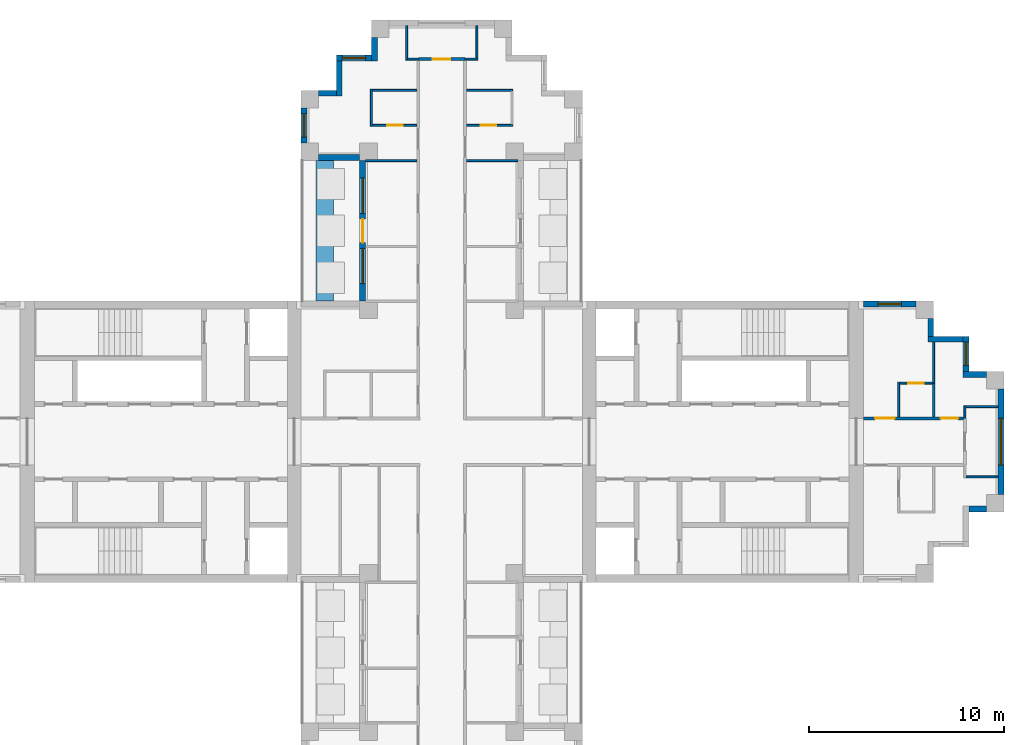
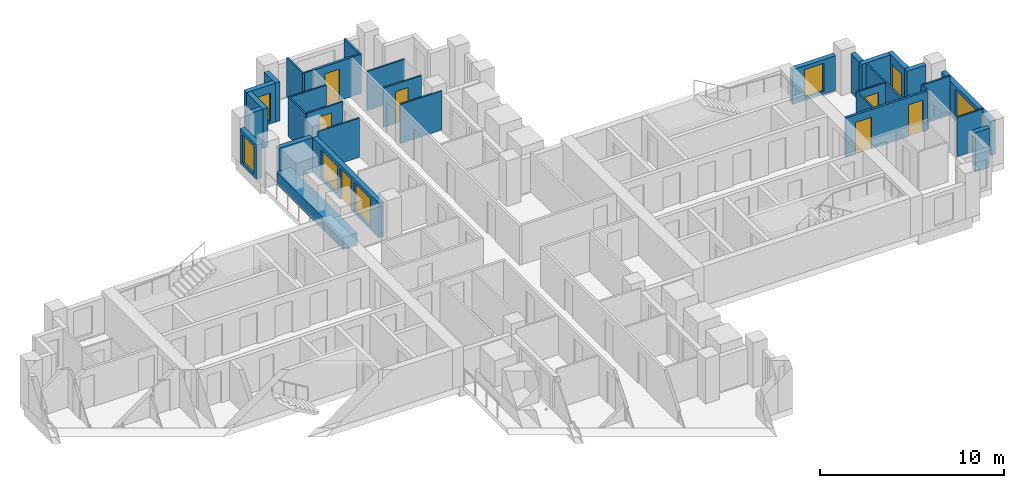
# One storey, part 7 of 10: 35 walls, 7 doors, 7 windows, 14 openings.
"""IFC4 building model written with IfcOpenShell, lengths in metres."""

from ifc_helpers import new_model, si_unit, direction, frame, frame_2d, origin, place, context, subcontext, project, spatial, rectangle, extrude, material, layer, layer_set, type_object, element, fill, save


model = new_model("IFC4")

# Units and contexts
model_context = context("Model", 3, precision=1e-05, world=origin(), true_north=direction((0.0, 1.0)))
body_context = subcontext(model_context, "Body", "Model", "MODEL_VIEW")
ifc_project = project(units=[si_unit("LENGTHUNIT", "METRE"), si_unit("AREAUNIT", "SQUARE_METRE"), si_unit("VOLUMEUNIT", "CUBIC_METRE"), si_unit("PLANEANGLEUNIT", "RADIAN"), si_unit("MASSUNIT", "GRAM", prefix="KILO")], contexts=[model_context])

# Site, building, storey
site_placement = place(None, origin())
site = spatial("IfcSite", under=ifc_project, at=site_placement, CompositionType="ELEMENT")
building_placement = place(site_placement, origin())
building = spatial("IfcBuilding", under=site, at=building_placement, Name="Fustian Cross Tower", CompositionType="ELEMENT")
storey_placement = place(building_placement, frame((0.0, 0.0, 231.89990234375)))
storey = spatial("IfcBuildingStorey", under=building, at=storey_placement, Name="L73", CompositionType="ELEMENT", Elevation=231.89990234375)

# Wall, opening, door
ifc_material_1 = material(Name="Plasterboard on steel stud", Category="steel")
ifc_layer_1 = layer(ifc_material_1, 0.14990234375)
ifc_layer_set_1 = layer_set([ifc_layer_1], Name="Plasterboard on steel stud")
wall_type_1 = type_object("IfcWallType", Name="COMPARTMENT WALL 150 EI 60", PredefinedType="PARTITIONING", material=ifc_layer_set_1)
wall_1_placement = place(storey_placement, frame((-1.199951171875, 19.60009765625, 0.0), z_axis=(0.0, 0.0, 1.0), x_axis=(1.0, 0.0, 0.0)))
wall_1 = element("IfcWall", 1, at=wall_1_placement, inside=storey, type_object=wall_type_1, Name="Partition 41", PredefinedType="PARTITIONING", context=body_context, shape_type="SweptSolid", body=[
    extrude(rectangle(XDim=2.39990234375, YDim=0.14990234375, at=frame_2d((1.199951171875, 0.0))), origin(), (0.0, 0.0, 1.0), 2.60009765625),
])
opening_1_placement = place(wall_1_placement, frame((0.75, 0.0, 0.0)))
opening_1 = element("IfcOpeningElement", 2, at=opening_1_placement, cuts=wall_1, Name="Opening D33017", PredefinedType="OPENING", context=body_context, shape_type="SweptSolid", body=[
    extrude(rectangle(XDim=0.89990234375, YDim=2.10009765625, at=frame_2d((0.449951171875, 1.050048828125))), frame((0.0, 0.0849609375, 0.0), z_axis=(0.0, -1.0, 0.0), x_axis=(1.0, 0.0, 0.0)), (0.0, 0.0, 1.0), 0.169921875),
])
ifc_material_2 = material(Name="Timber fire door set", Category="wood")
door_type_1 = type_object("IfcDoorType", Name="FIRE SWING DOOR 900 FD30S", OperationType="SINGLE_SWING_LEFT", PredefinedType="DOOR", material=ifc_material_2)
door_1_placement = place(opening_1_placement, origin())
door_1 = element("IfcDoor", 3, at=door_1_placement, inside=storey, type_object=door_type_1, Name="Door D33017", OperationType="SINGLE_SWING_LEFT", OverallHeight=2.10009765625, OverallWidth=0.89990234375, PredefinedType="DOOR", context=body_context, shape_type="SweptSolid", body=[
    extrude(rectangle(XDim=0.89990234375, YDim=2.10009765625, at=frame_2d((0.449951171875, 1.050048828125))), frame((0.0, 0.02490234375, 0.0), z_axis=(0.0, -1.0, 0.0), x_axis=(1.0, 0.0, 0.0)), (0.0, 0.0, 1.0), 0.050048828125),
])
fill(opening_1, door_1)

# Wall, openings, doors
wall_2_placement = place(storey_placement, frame((21.60009765625, 1.199951171875, 0.0), z_axis=(0.0, 0.0, 1.0), x_axis=(1.0, 0.0, 0.0)))
wall_2 = element("IfcWall", 4, at=wall_2_placement, inside=storey, type_object=wall_type_1, Name="Partition 62", PredefinedType="PARTITIONING", context=body_context, shape_type="SweptSolid", body=[
    extrude(rectangle(XDim=5.125, YDim=0.14990234375, at=frame_2d((2.5625, 0.0))), origin(), (0.0, 0.0, 1.0), 2.60009765625),
])
opening_2_placement = place(wall_2_placement, frame((0.60009765625, 0.0, 0.0)))
opening_2 = element("IfcOpeningElement", 5, at=opening_2_placement, cuts=wall_2, Name="Opening D33013", PredefinedType="OPENING", context=body_context, shape_type="SweptSolid", body=[
    extrude(rectangle(XDim=1.0, YDim=2.10009765625, at=frame_2d((0.5, 1.050048828125))), frame((0.0, 0.0849609375, 0.0), z_axis=(0.0, -1.0, 0.0), x_axis=(1.0, 0.0, 0.0)), (0.0, 0.0, 1.0), 0.169921875),
])
opening_3_placement = place(wall_2_placement, frame((3.949951171875, 0.0, 0.0)))
opening_3 = element("IfcOpeningElement", 6, at=opening_3_placement, cuts=wall_2, Name="Opening D33014", PredefinedType="OPENING", context=body_context, shape_type="SweptSolid", body=[
    extrude(rectangle(XDim=0.89990234375, YDim=2.10009765625, at=frame_2d((0.449951171875, 1.050048828125))), frame((0.0, 0.0849609375, 0.0), z_axis=(0.0, -1.0, 0.0), x_axis=(1.0, 0.0, 0.0)), (0.0, 0.0, 1.0), 0.169921875),
])
ifc_material_3 = material(Name="Timber fire door set", Category="wood")
door_type_2 = type_object("IfcDoorType", Name="FIRE SWING DOOR 1000 FD30S", OperationType="SINGLE_SWING_LEFT", PredefinedType="DOOR", material=ifc_material_3)
door_2_placement = place(opening_2_placement, origin())
door_2 = element("IfcDoor", 7, at=door_2_placement, inside=storey, type_object=door_type_2, Name="Door D33013", OperationType="SINGLE_SWING_RIGHT", OverallHeight=2.10009765625, OverallWidth=1.0, PredefinedType="DOOR", context=body_context, shape_type="SweptSolid", body=[
    extrude(rectangle(XDim=1.0, YDim=2.10009765625, at=frame_2d((0.5, 1.050048828125))), frame((0.0, 0.02490234375, 0.0), z_axis=(0.0, -1.0, 0.0), x_axis=(1.0, 0.0, 0.0)), (0.0, 0.0, 1.0), 0.050048828125),
])
fill(opening_2, door_2)
door_3_placement = place(opening_3_placement, origin())
door_3 = element("IfcDoor", 8, at=door_3_placement, inside=storey, type_object=door_type_1, Name="Door D33014", OperationType="SINGLE_SWING_LEFT", OverallHeight=2.10009765625, OverallWidth=0.89990234375, PredefinedType="DOOR", context=body_context, shape_type="SweptSolid", body=[
    extrude(rectangle(XDim=0.89990234375, YDim=2.10009765625, at=frame_2d((0.449951171875, 1.050048828125))), frame((0.0, 0.02490234375, 0.0), z_axis=(0.0, -1.0, 0.0), x_axis=(1.0, 0.0, 0.0)), (0.0, 0.0, 1.0), 0.050048828125),
])
fill(opening_3, door_3)

# Walls
ifc_material_4 = material(Name="Plasterboard on steel stud", Category="steel")
ifc_layer_2 = layer(ifc_material_4, 0.10009765625)
ifc_layer_set_2 = layer_set([ifc_layer_2], Name="Plasterboard on steel stud")
wall_type_2 = type_object("IfcWallType", Name="PARTITION 100 STUD", PredefinedType="PARTITIONING", material=ifc_layer_set_2)
wall_3_placement = place(storey_placement, frame((-3.89990234375, 14.39990234375, 0.0), z_axis=(0.0, 0.0, 1.0), x_axis=(1.0, 0.0, 0.0)))
element("IfcWall", 9, at=wall_3_placement, inside=storey, type_object=wall_type_2, Name="Partition 25", PredefinedType="PARTITIONING", context=body_context, shape_type="SweptSolid", body=[
    extrude(rectangle(XDim=2.625, YDim=0.10009765625, at=frame_2d((1.3125, 0.0))), origin(), (0.0, 0.0, 1.0), 2.60009765625),
])
wall_4_placement = place(storey_placement, frame((-3.60009765625, 16.14990234375, 0.0), z_axis=(0.0, 0.0, 1.0), x_axis=(0.0, 1.0, 0.0)))
element("IfcWall", 10, at=wall_4_placement, inside=storey, type_object=wall_type_2, Name="Partition 30", PredefinedType="PARTITIONING", context=body_context, shape_type="SweptSolid", body=[
    extrude(rectangle(XDim=1.900146484375, YDim=0.10009765625, at=frame_2d((0.9501953125, 0.0))), origin(), (0.0, 0.0, 1.0), 2.60009765625),
])

# Wall, opening, door
wall_5_placement = place(storey_placement, frame((-3.550048828125, 16.199951171875, 0.0), z_axis=(0.0, 0.0, 1.0), x_axis=(1.0, 0.0, 0.0)))
wall_5 = element("IfcWall", 11, at=wall_5_placement, inside=storey, type_object=wall_type_2, Name="Partition 31", PredefinedType="PARTITIONING", context=body_context, shape_type="SweptSolid", body=[
    extrude(rectangle(XDim=2.275146484375, YDim=0.10009765625, at=frame_2d((1.1376953125, 0.0))), origin(), (0.0, 0.0, 1.0), 2.60009765625),
])
opening_4_placement = place(wall_5_placement, frame((0.75, 0.0, 0.0)))
opening_4 = element("IfcOpeningElement", 12, at=opening_4_placement, cuts=wall_5, Name="Opening D33020", PredefinedType="OPENING", context=body_context, shape_type="SweptSolid", body=[
    extrude(rectangle(XDim=0.800048828125, YDim=2.10009765625, at=frame_2d((0.39990234375, 1.050048828125))), frame((0.0, 0.06005859375, 0.0), z_axis=(0.0, -1.0, 0.0), x_axis=(1.0, 0.0, 0.0)), (0.0, 0.0, 1.0), 0.1201171875),
])
ifc_material_5 = material(Name="Painted timber", Category="wood")
door_type_3 = type_object("IfcDoorType", Name="SWING DOOR 800", OperationType="SINGLE_SWING_LEFT", PredefinedType="DOOR", material=ifc_material_5)
door_4_placement = place(opening_4_placement, origin())
door_4 = element("IfcDoor", 13, at=door_4_placement, inside=storey, type_object=door_type_3, Name="Door D33020", OperationType="SINGLE_SWING_LEFT", OverallHeight=2.10009765625, OverallWidth=0.800048828125, PredefinedType="DOOR", context=body_context, shape_type="SweptSolid", body=[
    extrude(rectangle(XDim=0.800048828125, YDim=2.10009765625, at=frame_2d((0.39990234375, 1.050048828125))), frame((0.0, 0.02490234375, 0.0), z_axis=(0.0, -1.0, 0.0), x_axis=(1.0, 0.0, 0.0)), (0.0, 0.0, 1.0), 0.050048828125),
])
fill(opening_4, door_4)

# Walls
wall_6_placement = place(storey_placement, frame((-3.550048828125, 18.0, 0.0), z_axis=(0.0, 0.0, 1.0), x_axis=(1.0, 0.0, 0.0)))
element("IfcWall", 14, at=wall_6_placement, inside=storey, type_object=wall_type_2, Name="Partition 32", PredefinedType="PARTITIONING", context=body_context, shape_type="SweptSolid", body=[
    extrude(rectangle(XDim=2.275146484375, YDim=0.10009765625, at=frame_2d((1.1376953125, 0.0))), origin(), (0.0, 0.0, 1.0), 2.60009765625),
])
wall_7_placement = place(storey_placement, frame((-1.800048828125, 19.550048828125, 0.0), z_axis=(0.0, 0.0, 1.0), x_axis=(0.0, 1.0, 0.0)))
element("IfcWall", 15, at=wall_7_placement, inside=storey, type_object=wall_type_2, Name="Partition 36", PredefinedType="PARTITIONING", context=body_context, shape_type="SweptSolid", body=[
    extrude(rectangle(XDim=1.75, YDim=0.10009765625, at=frame_2d((0.875, 0.0))), origin(), (0.0, 0.0, 1.0), 2.60009765625),
])
wall_8_placement = place(storey_placement, frame((-1.75, 19.60009765625, 0.0), z_axis=(0.0, 0.0, 1.0), x_axis=(1.0, 0.0, 0.0)))
element("IfcWall", 16, at=wall_8_placement, inside=storey, type_object=wall_type_2, Name="Partition 37", PredefinedType="PARTITIONING", context=body_context, shape_type="SweptSolid", body=[
    extrude(rectangle(XDim=0.550048828125, YDim=0.10009765625, at=frame_2d((0.27490234375, 0.0))), origin(), (0.0, 0.0, 1.0), 2.60009765625),
])
wall_9_placement = place(storey_placement, frame((1.27490234375, 14.39990234375, 0.0), z_axis=(0.0, 0.0, 1.0), x_axis=(1.0, 0.0, 0.0)))
element("IfcWall", 17, at=wall_9_placement, inside=storey, type_object=wall_type_2, Name="Partition 52", PredefinedType="PARTITIONING", context=body_context, shape_type="SweptSolid", body=[
    extrude(rectangle(XDim=2.625, YDim=0.10009765625, at=frame_2d((1.3125, 0.0))), origin(), (0.0, 0.0, 1.0), 2.60009765625),
])

# Wall, opening, door
wall_10_placement = place(storey_placement, frame((1.27490234375, 16.199951171875, 0.0), z_axis=(0.0, 0.0, 1.0), x_axis=(1.0, 0.0, 0.0)))
wall_10 = element("IfcWall", 18, at=wall_10_placement, inside=storey, type_object=wall_type_2, Name="Partition 53", PredefinedType="PARTITIONING", context=body_context, shape_type="SweptSolid", body=[
    extrude(rectangle(XDim=2.375, YDim=0.10009765625, at=frame_2d((1.1875, 0.0))), origin(), (0.0, 0.0, 1.0), 2.60009765625),
])
opening_5_placement = place(wall_10_placement, frame((0.72509765625, 0.0, 0.0)))
opening_5 = element("IfcOpeningElement", 19, at=opening_5_placement, cuts=wall_10, Name="Opening D33024", PredefinedType="OPENING", context=body_context, shape_type="SweptSolid", body=[
    extrude(rectangle(XDim=0.800048828125, YDim=2.10009765625, at=frame_2d((0.39990234375, 1.050048828125))), frame((0.0, 0.06005859375, 0.0), z_axis=(0.0, -1.0, 0.0), x_axis=(1.0, 0.0, 0.0)), (0.0, 0.0, 1.0), 0.1201171875),
])
door_5_placement = place(opening_5_placement, origin())
door_5 = element("IfcDoor", 20, at=door_5_placement, inside=storey, type_object=door_type_3, Name="Door D33024", OperationType="SINGLE_SWING_LEFT", OverallHeight=2.10009765625, OverallWidth=0.800048828125, PredefinedType="DOOR", context=body_context, shape_type="SweptSolid", body=[
    extrude(rectangle(XDim=0.800048828125, YDim=2.10009765625, at=frame_2d((0.39990234375, 1.050048828125))), frame((0.0, 0.02490234375, 0.0), z_axis=(0.0, -1.0, 0.0), x_axis=(1.0, 0.0, 0.0)), (0.0, 0.0, 1.0), 0.050048828125),
])
fill(opening_5, door_5)

# Walls
wall_11_placement = place(storey_placement, frame((1.27490234375, 18.0, 0.0), z_axis=(0.0, 0.0, 1.0), x_axis=(1.0, 0.0, 0.0)))
element("IfcWall", 21, at=wall_11_placement, inside=storey, type_object=wall_type_2, Name="Partition 54", PredefinedType="PARTITIONING", context=body_context, shape_type="SweptSolid", body=[
    extrude(rectangle(XDim=2.375, YDim=0.10009765625, at=frame_2d((1.1875, 0.0))), origin(), (0.0, 0.0, 1.0), 2.60009765625),
])
wall_12_placement = place(storey_placement, frame((1.199951171875, 19.60009765625, 0.0), z_axis=(0.0, 0.0, 1.0), x_axis=(1.0, 0.0, 0.0)))
element("IfcWall", 22, at=wall_12_placement, inside=storey, type_object=wall_type_2, Name="Partition 55", PredefinedType="PARTITIONING", context=body_context, shape_type="SweptSolid", body=[
    extrude(rectangle(XDim=0.650146484375, YDim=0.10009765625, at=frame_2d((0.3251953125, 0.0))), origin(), (0.0, 0.0, 1.0), 2.60009765625),
])
wall_13_placement = place(storey_placement, frame((1.800048828125, 19.64990234375, 0.0), z_axis=(0.0, 0.0, 1.0), x_axis=(0.0, 1.0, 0.0)))
element("IfcWall", 23, at=wall_13_placement, inside=storey, type_object=wall_type_2, Name="Partition 57", PredefinedType="PARTITIONING", context=body_context, shape_type="SweptSolid", body=[
    extrude(rectangle(XDim=1.650146484375, YDim=0.10009765625, at=frame_2d((0.8251953125, 0.0))), origin(), (0.0, 0.0, 1.0), 2.60009765625),
])
wall_14_placement = place(storey_placement, frame((23.39990234375, 1.27490234375, 0.0), z_axis=(0.0, 0.0, 1.0), x_axis=(0.0, 1.0, 0.0)))
element("IfcWall", 24, at=wall_14_placement, inside=storey, type_object=wall_type_2, Name="Partition 65", PredefinedType="PARTITIONING", context=body_context, shape_type="SweptSolid", body=[
    extrude(rectangle(XDim=1.775146484375, YDim=0.10009765625, at=frame_2d((0.8876953125, 0.0))), origin(), (0.0, 0.0, 1.0), 2.60009765625),
])

# Wall, opening, door
wall_15_placement = place(storey_placement, frame((23.449951171875, 3.0, 0.0), z_axis=(0.0, 0.0, 1.0), x_axis=(1.0, 0.0, 0.0)))
wall_15 = element("IfcWall", 25, at=wall_15_placement, inside=storey, type_object=wall_type_2, Name="Partition 66", PredefinedType="PARTITIONING", context=body_context, shape_type="SweptSolid", body=[
    extrude(rectangle(XDim=1.6875, YDim=0.10009765625, at=frame_2d((0.84375, 0.0))), origin(), (0.0, 0.0, 1.0), 2.60009765625),
])
opening_6_placement = place(wall_15_placement, frame((0.449951171875, 0.0, 0.0)))
opening_6 = element("IfcOpeningElement", 26, at=opening_6_placement, cuts=wall_15, Name="Opening D33012", PredefinedType="OPENING", context=body_context, shape_type="SweptSolid", body=[
    extrude(rectangle(XDim=0.800048828125, YDim=2.10009765625, at=frame_2d((0.39990234375, 1.050048828125))), frame((0.0, 0.06005859375, 0.0), z_axis=(0.0, -1.0, 0.0), x_axis=(1.0, 0.0, 0.0)), (0.0, 0.0, 1.0), 0.1201171875),
])
door_6_placement = place(opening_6_placement, frame((0.800048828125, 0.0, 0.0), z_axis=(0.0, 0.0, 1.0), x_axis=(-1.0, 0.0, 0.0)))
door_6 = element("IfcDoor", 27, at=door_6_placement, inside=storey, type_object=door_type_3, Name="Door D33012", OperationType="SINGLE_SWING_LEFT", OverallHeight=2.10009765625, OverallWidth=0.800048828125, PredefinedType="DOOR", context=body_context, shape_type="SweptSolid", body=[
    extrude(rectangle(XDim=0.800048828125, YDim=2.10009765625, at=frame_2d((0.39990234375, 1.050048828125))), frame((0.0, 0.02490234375, 0.0), z_axis=(0.0, -1.0, 0.0), x_axis=(1.0, 0.0, 0.0)), (0.0, 0.0, 1.0), 0.050048828125),
])
fill(opening_6, door_6)

# Walls
wall_16_placement = place(storey_placement, frame((25.199951171875, 3.0, 0.0), z_axis=(0.0, 0.0, 1.0), x_axis=(0.0, 1.0, 0.0)))
element("IfcWall", 28, at=wall_16_placement, inside=storey, type_object=wall_type_2, Name="Partition 69", PredefinedType="PARTITIONING", context=body_context, shape_type="SweptSolid", body=[
    extrude(rectangle(XDim=2.10009765625, YDim=0.10009765625, at=frame_2d((1.050048828125, 0.0))), origin(), (0.0, 0.0, 1.0), 2.60009765625),
])
wall_17_placement = place(storey_placement, frame((26.85009765625, -1.800048828125, 0.0), z_axis=(0.0, 0.0, 1.0), x_axis=(1.0, 0.0, 0.0)))
element("IfcWall", 29, at=wall_17_placement, inside=storey, type_object=wall_type_2, Name="Partition 71", PredefinedType="PARTITIONING", context=body_context, shape_type="SweptSolid", body=[
    extrude(rectangle(XDim=1.64990234375, YDim=0.10009765625, at=frame_2d((0.824951171875, 0.0))), origin(), (0.0, 0.0, 1.0), 2.60009765625),
])
wall_18_placement = place(storey_placement, frame((26.800048828125, 1.199951171875, 0.0), z_axis=(0.0, 0.0, 1.0), x_axis=(0.0, 1.0, 0.0)))
element("IfcWall", 30, at=wall_18_placement, inside=storey, type_object=wall_type_2, Name="Partition 73", PredefinedType="PARTITIONING", context=body_context, shape_type="SweptSolid", body=[
    extrude(rectangle(XDim=0.650146484375, YDim=0.10009765625, at=frame_2d((0.3251953125, 0.0))), origin(), (0.0, 0.0, 1.0), 2.60009765625),
])
wall_19_placement = place(storey_placement, frame((26.85009765625, 1.800048828125, 0.0), z_axis=(0.0, 0.0, 1.0), x_axis=(1.0, 0.0, 0.0)))
element("IfcWall", 31, at=wall_19_placement, inside=storey, type_object=wall_type_2, Name="Partition 74", PredefinedType="PARTITIONING", context=body_context, shape_type="SweptSolid", body=[
    extrude(rectangle(XDim=1.64990234375, YDim=0.10009765625, at=frame_2d((0.824951171875, 0.0))), origin(), (0.0, 0.0, 1.0), 2.60009765625),
])
ifc_material_6 = material(Name="Concrete C40/50", Category="concrete")
ifc_layer_3 = layer(ifc_material_6, 0.89990234375)
ifc_layer_set_3 = layer_set([ifc_layer_3], Name="Concrete C40/50")
wall_type_3 = type_object("IfcWallType", Name="PK1 PLANTER 900", PredefinedType="PARAPET", material=ifc_layer_set_3)
wall_20_placement = place(storey_placement, frame((-6.0, 7.199951171875, 0.0), z_axis=(0.0, 0.0, 1.0), x_axis=(0.0, 1.0, 0.0)))
element("IfcWall", 32, at=wall_20_placement, inside=storey, type_object=wall_type_3, Name="PLANTER", PredefinedType="PARAPET", context=body_context, shape_type="SweptSolid", body=[
    extrude(rectangle(XDim=7.199951171875, YDim=0.89990234375, at=frame_2d((3.60009765625, 0.0))), origin(), (0.0, 0.0, 1.0), 0.800048828125),
])
ifc_material_7 = material(Name="Plasterboard on steel stud", Category="steel")
ifc_layer_4 = layer(ifc_material_7, 0.125)
ifc_layer_set_4 = layer_set([ifc_layer_4], Name="Plasterboard on steel stud")
wall_type_4 = type_object("IfcWallType", Name="WET WALL 125 STUD", PredefinedType="PARTITIONING", material=ifc_layer_set_4)
wall_21_placement = place(storey_placement, frame((25.199951171875, 1.27490234375, 0.0), z_axis=(0.0, 0.0, 1.0), x_axis=(0.0, 1.0, 0.0)))
element("IfcWall", 33, at=wall_21_placement, inside=storey, type_object=wall_type_4, Name="Partition 68", PredefinedType="PARTITIONING", context=body_context, shape_type="SweptSolid", body=[
    extrude(rectangle(XDim=1.72509765625, YDim=0.125, at=frame_2d((0.862548828125, 0.0))), origin(), (0.0, 0.0, 1.0), 2.60009765625),
])
ifc_material_8 = material(Name="Dark aluminium cladding on insulated backing wall", Category="aluminium")
ifc_layer_5 = layer(ifc_material_8, 0.300048828125)
ifc_layer_set_5 = layer_set([ifc_layer_5], Name="Dark aluminium cladding on insulated backing wall")
wall_type_5 = type_object("IfcWallType", Name="XW1 EXTERNAL WALL 300", PredefinedType="SOLIDWALL", material=ifc_layer_set_5)
wall_22_placement = place(storey_placement, frame((27.0, -3.449951171875, 0.0), z_axis=(0.0, 0.0, 1.0), x_axis=(1.0, 0.0, 0.0)))
element("IfcWall", 34, at=wall_22_placement, inside=storey, type_object=wall_type_5, Name="External wall", PredefinedType="SOLIDWALL", context=body_context, shape_type="SweptSolid", body=[
    extrude(rectangle(XDim=0.89990234375, YDim=0.300048828125, at=frame_2d((0.449951171875, 0.0))), origin(), (0.0, 0.0, 1.0), 2.60009765625),
])

# Wall, opening, window
wall_23_placement = place(storey_placement, frame((28.64990234375, -2.699951171875, 0.0), z_axis=(0.0, 0.0, 1.0), x_axis=(0.0, 1.0, 0.0)))
wall_23 = element("IfcWall", 35, at=wall_23_placement, inside=storey, type_object=wall_type_5, Name="External wall", PredefinedType="SOLIDWALL", context=body_context, shape_type="SweptSolid", body=[
    extrude(rectangle(XDim=5.39990234375, YDim=0.300048828125, at=frame_2d((2.699951171875, 0.0))), origin(), (0.0, 0.0, 1.0), 2.300048828125),
])
opening_7_placement = place(wall_23_placement, frame((1.5, 0.0, 0.199951171875)))
opening_7 = element("IfcOpeningElement", 36, at=opening_7_placement, cuts=wall_23, Name="Opening WN1", PredefinedType="OPENING", context=body_context, shape_type="SweptSolid", body=[
    extrude(rectangle(XDim=2.39990234375, YDim=1.85009765625, at=frame_2d((1.199951171875, 0.925048828125))), frame((0.0, 0.159912109375, 0.0), z_axis=(0.0, -1.0, 0.0), x_axis=(1.0, 0.0, 0.0)), (0.0, 0.0, 1.0), 0.320068359375),
])
ifc_material_9 = material(Name="Dark anodised aluminium and double glazing", Category="aluminium")
window_type_1 = type_object("IfcWindowType", Name="WN1 WINDOW 2400X1850", PartitioningType="SINGLE_PANEL", PredefinedType="WINDOW", material=ifc_material_9)
window_1_placement = place(opening_7_placement, origin())
window_1 = element("IfcWindow", 37, at=window_1_placement, inside=storey, type_object=window_type_1, Name="Window", OverallHeight=1.85009765625, OverallWidth=2.39990234375, PartitioningType="SINGLE_PANEL", PredefinedType="WINDOW", context=body_context, shape_type="SweptSolid", body=[
    extrude(rectangle(XDim=2.39990234375, YDim=1.85009765625, at=frame_2d((1.199951171875, 0.925048828125))), frame((0.0, 0.030029296875, 0.0), z_axis=(0.0, -1.0, 0.0), x_axis=(1.0, 0.0, 0.0)), (0.0, 0.0, 1.0), 0.06005859375),
])
fill(opening_7, window_1)

# Wall
wall_24_placement = place(storey_placement, frame((27.89990234375, 3.449951171875, 0.0), z_axis=(0.0, 0.0, 1.0), x_axis=(-1.0, 0.0, 0.0)))
element("IfcWall", 38, at=wall_24_placement, inside=storey, type_object=wall_type_5, Name="External wall", PredefinedType="SOLIDWALL", context=body_context, shape_type="SweptSolid", body=[
    extrude(rectangle(XDim=1.199951171875, YDim=0.300048828125, at=frame_2d((0.60009765625, 0.0))), origin(), (0.0, 0.0, 1.0), 2.60009765625),
])

# Wall, opening, window
wall_25_placement = place(storey_placement, frame((26.85009765625, 3.60009765625, 0.0), z_axis=(0.0, 0.0, 1.0), x_axis=(0.0, 1.0, 0.0)))
wall_25 = element("IfcWall", 39, at=wall_25_placement, inside=storey, type_object=wall_type_5, Name="External wall", PredefinedType="SOLIDWALL", context=body_context, shape_type="SweptSolid", body=[
    extrude(rectangle(XDim=1.7998046875, YDim=0.300048828125, at=frame_2d((0.89990234375, 0.0))), origin(), (0.0, 0.0, 1.0), 2.60009765625),
])
opening_8_placement = place(wall_25_placement, frame((0.300048828125, 0.0, 0.199951171875)))
opening_8 = element("IfcOpeningElement", 40, at=opening_8_placement, cuts=wall_25, Name="Opening WN3", PredefinedType="OPENING", context=body_context, shape_type="SweptSolid", body=[
    extrude(rectangle(XDim=1.199951171875, YDim=1.85009765625, at=frame_2d((0.60009765625, 0.925048828125))), frame((0.0, 0.159912109375, 0.0), z_axis=(0.0, -1.0, 0.0), x_axis=(1.0, 0.0, 0.0)), (0.0, 0.0, 1.0), 0.320068359375),
])
ifc_material_10 = material(Name="Dark anodised aluminium and double glazing", Category="aluminium")
window_type_2 = type_object("IfcWindowType", Name="WN3 WINDOW 1200X1850", PartitioningType="SINGLE_PANEL", PredefinedType="WINDOW", material=ifc_material_10)
window_2_placement = place(opening_8_placement, origin())
window_2 = element("IfcWindow", 41, at=window_2_placement, inside=storey, type_object=window_type_2, Name="Window", OverallHeight=1.85009765625, OverallWidth=1.199951171875, PartitioningType="SINGLE_PANEL", PredefinedType="WINDOW", context=body_context, shape_type="SweptSolid", body=[
    extrude(rectangle(XDim=1.199951171875, YDim=1.85009765625, at=frame_2d((0.60009765625, 0.925048828125))), frame((0.0, 0.030029296875, 0.0), z_axis=(0.0, -1.0, 0.0), x_axis=(1.0, 0.0, 0.0)), (0.0, 0.0, 1.0), 0.06005859375),
])
fill(opening_8, window_2)

# Walls
wall_26_placement = place(storey_placement, frame((26.699951171875, 5.25, 0.0), z_axis=(0.0, 0.0, 1.0), x_axis=(-1.0, 0.0, 0.0)))
element("IfcWall", 42, at=wall_26_placement, inside=storey, type_object=wall_type_5, Name="External wall", PredefinedType="SOLIDWALL", context=body_context, shape_type="SweptSolid", body=[
    extrude(rectangle(XDim=1.800048828125, YDim=0.300048828125, at=frame_2d((0.89990234375, 0.0))), origin(), (0.0, 0.0, 1.0), 2.60009765625),
])
wall_27_placement = place(storey_placement, frame((25.050048828125, 5.39990234375, 0.0), z_axis=(0.0, 0.0, 1.0), x_axis=(0.0, 1.0, 0.0)))
element("IfcWall", 43, at=wall_27_placement, inside=storey, type_object=wall_type_5, Name="External wall", PredefinedType="SOLIDWALL", context=body_context, shape_type="SweptSolid", body=[
    extrude(rectangle(XDim=0.900146484375, YDim=0.300048828125, at=frame_2d((0.4501953125, 0.0))), origin(), (0.0, 0.0, 1.0), 2.60009765625),
])

# Wall, opening, window
wall_28_placement = place(storey_placement, frame((24.300048828125, 7.050048828125, 0.0), z_axis=(0.0, 0.0, 1.0), x_axis=(-1.0, 0.0, 0.0)))
wall_28 = element("IfcWall", 44, at=wall_28_placement, inside=storey, type_object=wall_type_5, Name="External wall", PredefinedType="SOLIDWALL", context=body_context, shape_type="SweptSolid", body=[
    extrude(rectangle(XDim=2.699951171875, YDim=0.300048828125, at=frame_2d((1.35009765625, 0.0))), origin(), (0.0, 0.0, 1.0), 2.300048828125),
])
opening_9_placement = place(wall_28_placement, frame((0.75, 0.0, 0.199951171875)))
opening_9 = element("IfcOpeningElement", 45, at=opening_9_placement, cuts=wall_28, Name="Opening WN3", PredefinedType="OPENING", context=body_context, shape_type="SweptSolid", body=[
    extrude(rectangle(XDim=1.199951171875, YDim=1.85009765625, at=frame_2d((0.60009765625, 0.925048828125))), frame((0.0, 0.159912109375, 0.0), z_axis=(0.0, -1.0, 0.0), x_axis=(1.0, 0.0, 0.0)), (0.0, 0.0, 1.0), 0.320068359375),
])
window_3_placement = place(opening_9_placement, origin())
window_3 = element("IfcWindow", 46, at=window_3_placement, inside=storey, type_object=window_type_2, Name="Window", OverallHeight=1.85009765625, OverallWidth=1.199951171875, PartitioningType="SINGLE_PANEL", PredefinedType="WINDOW", context=body_context, shape_type="SweptSolid", body=[
    extrude(rectangle(XDim=1.199951171875, YDim=1.85009765625, at=frame_2d((0.60009765625, 0.925048828125))), frame((0.0, 0.030029296875, 0.0), z_axis=(0.0, -1.0, 0.0), x_axis=(1.0, 0.0, 0.0)), (0.0, 0.0, 1.0), 0.06005859375),
])
fill(opening_9, window_3)

# Wall
wall_29_placement = place(storey_placement, frame((-3.449951171875, 20.699951171875, 0.0), z_axis=(0.0, 0.0, 1.0), x_axis=(0.0, -1.0, 0.0)))
element("IfcWall", 47, at=wall_29_placement, inside=storey, type_object=wall_type_5, Name="External wall", PredefinedType="SOLIDWALL", context=body_context, shape_type="SweptSolid", body=[
    extrude(rectangle(XDim=1.199951171875, YDim=0.300048828125, at=frame_2d((0.60009765625, 0.0))), origin(), (0.0, 0.0, 1.0), 2.60009765625),
])

# Wall, opening, window
wall_30_placement = place(storey_placement, frame((-3.60009765625, 19.64990234375, 0.0), z_axis=(0.0, 0.0, 1.0), x_axis=(-1.0, 0.0, 0.0)))
wall_30 = element("IfcWall", 48, at=wall_30_placement, inside=storey, type_object=wall_type_5, Name="External wall", PredefinedType="SOLIDWALL", context=body_context, shape_type="SweptSolid", body=[
    extrude(rectangle(XDim=1.7998046875, YDim=0.300048828125, at=frame_2d((0.89990234375, 0.0))), origin(), (0.0, 0.0, 1.0), 2.60009765625),
])
opening_10_placement = place(wall_30_placement, frame((0.300048828125, 0.0, 0.199951171875)))
opening_10 = element("IfcOpeningElement", 49, at=opening_10_placement, cuts=wall_30, Name="Opening WN3", PredefinedType="OPENING", context=body_context, shape_type="SweptSolid", body=[
    extrude(rectangle(XDim=1.199951171875, YDim=1.85009765625, at=frame_2d((0.60009765625, 0.925048828125))), frame((0.0, 0.159912109375, 0.0), z_axis=(0.0, -1.0, 0.0), x_axis=(1.0, 0.0, 0.0)), (0.0, 0.0, 1.0), 0.320068359375),
])
window_4_placement = place(opening_10_placement, origin())
window_4 = element("IfcWindow", 50, at=window_4_placement, inside=storey, type_object=window_type_2, Name="Window", OverallHeight=1.85009765625, OverallWidth=1.199951171875, PartitioningType="SINGLE_PANEL", PredefinedType="WINDOW", context=body_context, shape_type="SweptSolid", body=[
    extrude(rectangle(XDim=1.199951171875, YDim=1.85009765625, at=frame_2d((0.60009765625, 0.925048828125))), frame((0.0, 0.030029296875, 0.0), z_axis=(0.0, -1.0, 0.0), x_axis=(1.0, 0.0, 0.0)), (0.0, 0.0, 1.0), 0.06005859375),
])
fill(opening_10, window_4)

# Walls
wall_31_placement = place(storey_placement, frame((-5.25, 19.5, 0.0), z_axis=(0.0, 0.0, 1.0), x_axis=(0.0, -1.0, 0.0)))
element("IfcWall", 51, at=wall_31_placement, inside=storey, type_object=wall_type_5, Name="External wall", PredefinedType="SOLIDWALL", context=body_context, shape_type="SweptSolid", body=[
    extrude(rectangle(XDim=1.800048828125, YDim=0.300048828125, at=frame_2d((0.89990234375, 0.0))), origin(), (0.0, 0.0, 1.0), 2.60009765625),
])
wall_32_placement = place(storey_placement, frame((-5.39990234375, 17.85009765625, 0.0), z_axis=(0.0, 0.0, 1.0), x_axis=(-1.0, 0.0, 0.0)))
element("IfcWall", 52, at=wall_32_placement, inside=storey, type_object=wall_type_5, Name="External wall", PredefinedType="SOLIDWALL", context=body_context, shape_type="SweptSolid", body=[
    extrude(rectangle(XDim=0.900146484375, YDim=0.300048828125, at=frame_2d((0.4501953125, 0.0))), origin(), (0.0, 0.0, 1.0), 2.60009765625),
])

# Wall, opening, window
wall_33_placement = place(storey_placement, frame((-7.050048828125, 17.10009765625, 0.0), z_axis=(0.0, 0.0, 1.0), x_axis=(0.0, -1.0, 0.0)))
wall_33 = element("IfcWall", 53, at=wall_33_placement, inside=storey, type_object=wall_type_5, Name="External wall", PredefinedType="SOLIDWALL", context=body_context, shape_type="SweptSolid", body=[
    extrude(rectangle(XDim=1.800048828125, YDim=0.300048828125, at=frame_2d((0.89990234375, 0.0))), origin(), (0.0, 0.0, 1.0), 2.300048828125),
])
opening_11_placement = place(wall_33_placement, frame((0.300048828125, 0.0, 0.199951171875)))
opening_11 = element("IfcOpeningElement", 54, at=opening_11_placement, cuts=wall_33, Name="Opening WN3", PredefinedType="OPENING", context=body_context, shape_type="SweptSolid", body=[
    extrude(rectangle(XDim=1.199951171875, YDim=1.85009765625, at=frame_2d((0.60009765625, 0.925048828125))), frame((0.0, 0.159912109375, 0.0), z_axis=(0.0, -1.0, 0.0), x_axis=(1.0, 0.0, 0.0)), (0.0, 0.0, 1.0), 0.320068359375),
])
window_5_placement = place(opening_11_placement, origin())
window_5 = element("IfcWindow", 55, at=window_5_placement, inside=storey, type_object=window_type_2, Name="Window", OverallHeight=1.85009765625, OverallWidth=1.199951171875, PartitioningType="SINGLE_PANEL", PredefinedType="WINDOW", context=body_context, shape_type="SweptSolid", body=[
    extrude(rectangle(XDim=1.199951171875, YDim=1.85009765625, at=frame_2d((0.60009765625, 0.925048828125))), frame((0.0, 0.030029296875, 0.0), z_axis=(0.0, -1.0, 0.0), x_axis=(1.0, 0.0, 0.0)), (0.0, 0.0, 1.0), 0.06005859375),
])
fill(opening_11, window_5)

# Wall
wall_34_placement = place(storey_placement, frame((-6.300048828125, 14.550048828125, 0.0), z_axis=(0.0, 0.0, 1.0), x_axis=(1.0, 0.0, 0.0)))
element("IfcWall", 56, at=wall_34_placement, inside=storey, type_object=wall_type_5, Name="External wall", PredefinedType="SOLIDWALL", context=body_context, shape_type="SweptSolid", body=[
    extrude(rectangle(XDim=2.10009765625, YDim=0.300048828125, at=frame_2d((1.050048828125, 0.0))), origin(), (0.0, 0.0, 1.0), 2.300048828125),
])

# Wall, openings, door, windows
wall_35_placement = place(storey_placement, frame((-4.050048828125, 14.39990234375, 0.0), z_axis=(0.0, 0.0, 1.0), x_axis=(0.0, -1.0, 0.0)))
wall_35 = element("IfcWall", 57, at=wall_35_placement, inside=storey, type_object=wall_type_5, Name="External wall", PredefinedType="SOLIDWALL", context=body_context, shape_type="SweptSolid", body=[
    extrude(rectangle(XDim=7.199951171875, YDim=0.300048828125, at=frame_2d((3.60009765625, 0.0))), origin(), (0.0, 0.0, 1.0), 2.300048828125),
])
opening_12_placement = place(wall_35_placement, frame((3.0, 0.0, 0.0)))
opening_12 = element("IfcOpeningElement", 58, at=opening_12_placement, cuts=wall_35, Name="Opening XD2", PredefinedType="OPENING", context=body_context, shape_type="SweptSolid", body=[
    extrude(rectangle(XDim=1.199951171875, YDim=2.050048828125, at=frame_2d((0.60009765625, 1.02490234375))), frame((0.0, 0.159912109375, 0.0), z_axis=(0.0, -1.0, 0.0), x_axis=(1.0, 0.0, 0.0)), (0.0, 0.0, 1.0), 0.320068359375),
])
opening_13_placement = place(wall_35_placement, frame((0.89990234375, 0.0, 0.199951171875)))
opening_13 = element("IfcOpeningElement", 59, at=opening_13_placement, cuts=wall_35, Name="Opening WN2", PredefinedType="OPENING", context=body_context, shape_type="SweptSolid", body=[
    extrude(rectangle(XDim=1.800048828125, YDim=1.85009765625, at=frame_2d((0.89990234375, 0.925048828125))), frame((0.0, 0.159912109375, 0.0), z_axis=(0.0, -1.0, 0.0), x_axis=(1.0, 0.0, 0.0)), (0.0, 0.0, 1.0), 0.320068359375),
])
opening_14_placement = place(wall_35_placement, frame((4.5, 0.0, 0.199951171875)))
opening_14 = element("IfcOpeningElement", 60, at=opening_14_placement, cuts=wall_35, Name="Opening WN2", PredefinedType="OPENING", context=body_context, shape_type="SweptSolid", body=[
    extrude(rectangle(XDim=1.800048828125, YDim=1.85009765625, at=frame_2d((0.89990234375, 0.925048828125))), frame((0.0, 0.159912109375, 0.0), z_axis=(0.0, -1.0, 0.0), x_axis=(1.0, 0.0, 0.0)), (0.0, 0.0, 1.0), 0.320068359375),
])
ifc_material_11 = material(Name="Dark anodised aluminium and double glazing", Category="aluminium")
door_type_4 = type_object("IfcDoorType", Name="ED1 BALCONY DOOR 1200X2050", OperationType="SINGLE_SWING_LEFT", PredefinedType="DOOR", material=ifc_material_11)
door_7_placement = place(opening_12_placement, origin())
door_7 = element("IfcDoor", 61, at=door_7_placement, inside=storey, type_object=door_type_4, Name="Balcony door", OperationType="SINGLE_SWING_LEFT", OverallHeight=2.050048828125, OverallWidth=1.199951171875, PredefinedType="DOOR", context=body_context, shape_type="SweptSolid", body=[
    extrude(rectangle(XDim=1.199951171875, YDim=2.050048828125, at=frame_2d((0.60009765625, 1.02490234375))), frame((0.0, 0.02490234375, 0.0), z_axis=(0.0, -1.0, 0.0), x_axis=(1.0, 0.0, 0.0)), (0.0, 0.0, 1.0), 0.050048828125),
])
fill(opening_12, door_7)
ifc_material_12 = material(Name="Dark anodised aluminium and double glazing", Category="aluminium")
window_type_3 = type_object("IfcWindowType", Name="WN2 WINDOW 1800X1850", PartitioningType="SINGLE_PANEL", PredefinedType="WINDOW", material=ifc_material_12)
window_6_placement = place(opening_13_placement, origin())
window_6 = element("IfcWindow", 62, at=window_6_placement, inside=storey, type_object=window_type_3, Name="Window", OverallHeight=1.85009765625, OverallWidth=1.800048828125, PartitioningType="SINGLE_PANEL", PredefinedType="WINDOW", context=body_context, shape_type="SweptSolid", body=[
    extrude(rectangle(XDim=1.800048828125, YDim=1.85009765625, at=frame_2d((0.89990234375, 0.925048828125))), frame((0.0, 0.030029296875, 0.0), z_axis=(0.0, -1.0, 0.0), x_axis=(1.0, 0.0, 0.0)), (0.0, 0.0, 1.0), 0.06005859375),
])
fill(opening_13, window_6)
window_7_placement = place(opening_14_placement, origin())
window_7 = element("IfcWindow", 63, at=window_7_placement, inside=storey, type_object=window_type_3, Name="Window", OverallHeight=1.85009765625, OverallWidth=1.800048828125, PartitioningType="SINGLE_PANEL", PredefinedType="WINDOW", context=body_context, shape_type="SweptSolid", body=[
    extrude(rectangle(XDim=1.800048828125, YDim=1.85009765625, at=frame_2d((0.89990234375, 0.925048828125))), frame((0.0, 0.030029296875, 0.0), z_axis=(0.0, -1.0, 0.0), x_axis=(1.0, 0.0, 0.0)), (0.0, 0.0, 1.0), 0.06005859375),
])
fill(opening_14, window_7)

save(model, "model.ifc")
